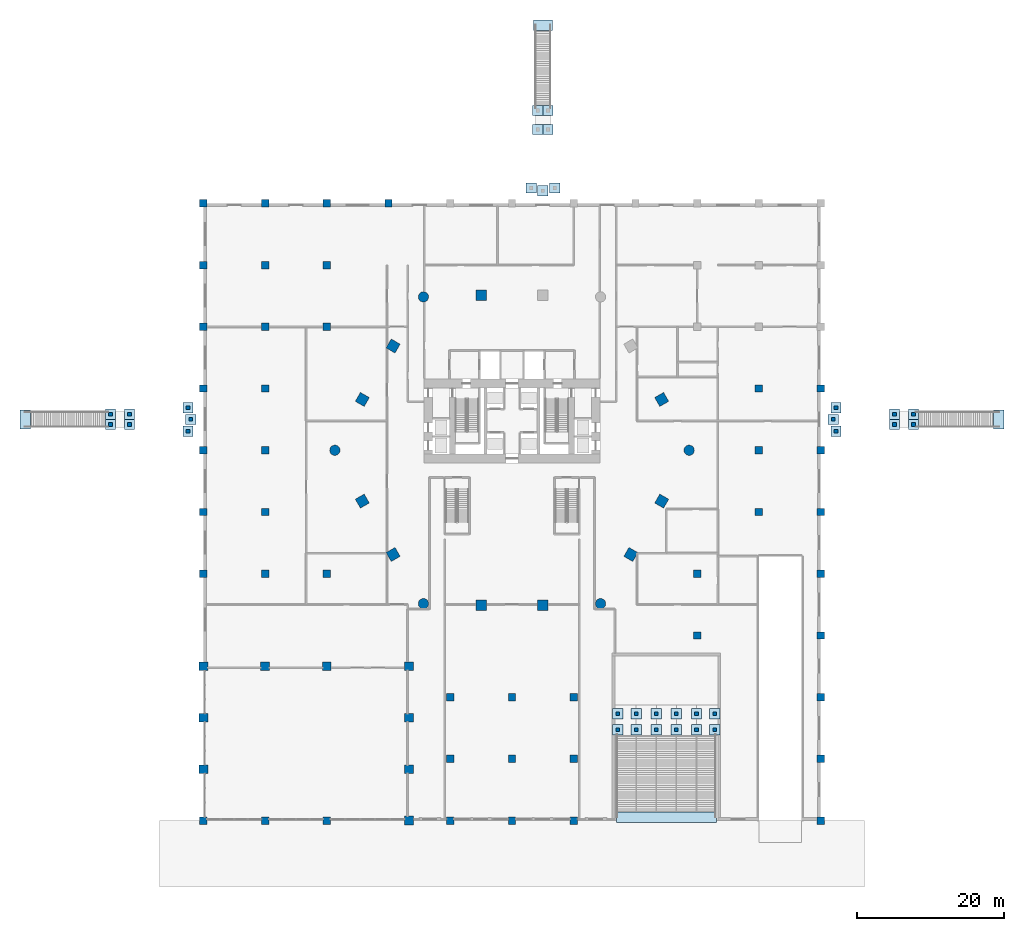
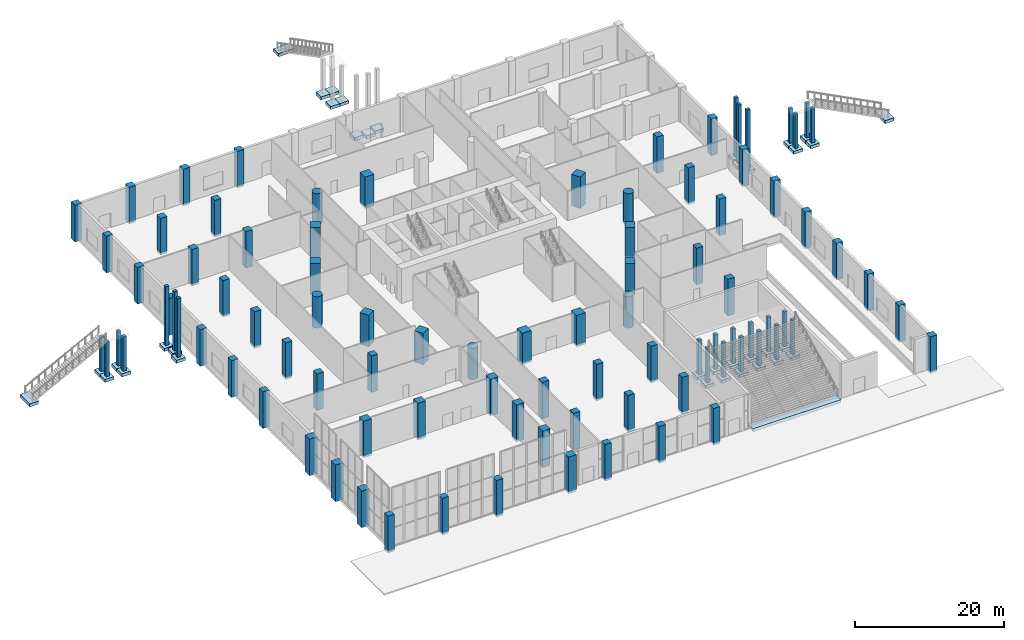
# One storey, part 1 of 25: 94 columns, 37 footings.
"""IFC4 building model written with IfcOpenShell, lengths in metres."""

from ifc_helpers import new_model, si_unit, direction, frame, origin, origin_2d, place, context, subcontext, project, spatial, polyline, rectangle, circle, outline, extrude, material, material_profile, profile_set, type_object, element, save


model = new_model("IFC4")

# Units and contexts
model_context = context("Model", 3, precision=1e-05, world=origin(), true_north=direction((0.0, 1.0)))
body_context = subcontext(model_context, "Body", "Model", "MODEL_VIEW")
ifc_project = project(units=[si_unit("LENGTHUNIT", "METRE"), si_unit("AREAUNIT", "SQUARE_METRE"), si_unit("VOLUMEUNIT", "CUBIC_METRE"), si_unit("PLANEANGLEUNIT", "RADIAN"), si_unit("MASSUNIT", "GRAM", prefix="KILO")], contexts=[model_context])

# Site, building, storey
site_placement = place(None, origin())
site = spatial("IfcSite", under=ifc_project, at=site_placement, CompositionType="ELEMENT")
building_placement = place(site_placement, origin())
building = spatial("IfcBuilding", under=site, at=building_placement, Name="Ostrander Bayou Hotel Tower", CompositionType="ELEMENT")
storey_placement = place(building_placement, origin())
storey = spatial("IfcBuildingStorey", under=building, at=storey_placement, Name="L00", CompositionType="ELEMENT", Elevation=0.0)

# Footings
ifc_material_1 = material(Name="Concrete f'c 40 MPa", Category="concrete")
footing_type = type_object("IfcFootingType", Name="PD1 pier pad 1400 x 1400 x 500 mm f'c 40 MPa", PredefinedType="PAD_FOOTING", material=ifc_material_1)
footing_1_placement = place(storey_placement, frame((0.0, 0.0, -0.5)))
element("IfcFooting", 1, at=footing_1_placement, inside=storey, type_object=footing_type, Name="PD1 pad 1", PredefinedType="PAD_FOOTING", context=body_context, shape_type="SweptSolid", body=[
    extrude(outline(polyline([(15.10009765625, -38.739990234375), (15.10009765625, -37.340087890625), (13.699951171875, -37.340087890625), (13.699951171875, -38.739990234375), (15.10009765625, -38.739990234375)])), origin(), (0.0, 0.0, 1.0), 0.5),
])
footing_2_placement = place(storey_placement, frame((0.0, 0.0, -0.5)))
element("IfcFooting", 2, at=footing_2_placement, inside=storey, type_object=footing_type, Name="PD1 pad 2", PredefinedType="PAD_FOOTING", context=body_context, shape_type="SweptSolid", body=[
    extrude(outline(polyline([(15.10009765625, -36.5400390625), (15.10009765625, -35.139892578125), (13.699951171875, -35.139892578125), (13.699951171875, -36.5400390625), (15.10009765625, -36.5400390625)])), origin(), (0.0, 0.0, 1.0), 0.5),
])
footing_3_placement = place(storey_placement, frame((0.0, 0.0, -0.5)))
element("IfcFooting", 3, at=footing_3_placement, inside=storey, type_object=footing_type, Name="PD1 pad 3", PredefinedType="PAD_FOOTING", context=body_context, shape_type="SweptSolid", body=[
    extrude(outline(polyline([(17.595947265625, -38.739990234375), (17.595947265625, -37.340087890625), (16.196044921875, -37.340087890625), (16.196044921875, -38.739990234375), (17.595947265625, -38.739990234375)])), origin(), (0.0, 0.0, 1.0), 0.5),
])
footing_4_placement = place(storey_placement, frame((0.0, 0.0, -0.5)))
element("IfcFooting", 4, at=footing_4_placement, inside=storey, type_object=footing_type, Name="PD1 pad 4", PredefinedType="PAD_FOOTING", context=body_context, shape_type="SweptSolid", body=[
    extrude(outline(polyline([(17.595947265625, -36.5400390625), (17.595947265625, -35.139892578125), (16.196044921875, -35.139892578125), (16.196044921875, -36.5400390625), (17.595947265625, -36.5400390625)])), origin(), (0.0, 0.0, 1.0), 0.5),
])
footing_5_placement = place(storey_placement, frame((0.0, 0.0, -0.5)))
element("IfcFooting", 5, at=footing_5_placement, inside=storey, type_object=footing_type, Name="PD1 pad 5", PredefinedType="PAD_FOOTING", context=body_context, shape_type="SweptSolid", body=[
    extrude(outline(polyline([(20.33203125, -38.739990234375), (20.33203125, -37.340087890625), (18.931884765625, -37.340087890625), (18.931884765625, -38.739990234375), (20.33203125, -38.739990234375)])), origin(), (0.0, 0.0, 1.0), 0.5),
])
footing_6_placement = place(storey_placement, frame((0.0, 0.0, -0.5)))
element("IfcFooting", 6, at=footing_6_placement, inside=storey, type_object=footing_type, Name="PD1 pad 6", PredefinedType="PAD_FOOTING", context=body_context, shape_type="SweptSolid", body=[
    extrude(outline(polyline([(20.33203125, -36.5400390625), (20.33203125, -35.139892578125), (18.931884765625, -35.139892578125), (18.931884765625, -36.5400390625), (20.33203125, -36.5400390625)])), origin(), (0.0, 0.0, 1.0), 0.5),
])
footing_7_placement = place(storey_placement, frame((0.0, 0.0, -0.5)))
element("IfcFooting", 7, at=footing_7_placement, inside=storey, type_object=footing_type, Name="PD1 pad 7", PredefinedType="PAD_FOOTING", context=body_context, shape_type="SweptSolid", body=[
    extrude(outline(polyline([(23.068115234375, -38.739990234375), (23.068115234375, -37.340087890625), (21.66796875, -37.340087890625), (21.66796875, -38.739990234375), (23.068115234375, -38.739990234375)])), origin(), (0.0, 0.0, 1.0), 0.5),
])
footing_8_placement = place(storey_placement, frame((0.0, 0.0, -0.5)))
element("IfcFooting", 8, at=footing_8_placement, inside=storey, type_object=footing_type, Name="PD1 pad 8", PredefinedType="PAD_FOOTING", context=body_context, shape_type="SweptSolid", body=[
    extrude(outline(polyline([(23.068115234375, -36.5400390625), (23.068115234375, -35.139892578125), (21.66796875, -35.139892578125), (21.66796875, -36.5400390625), (23.068115234375, -36.5400390625)])), origin(), (0.0, 0.0, 1.0), 0.5),
])
footing_9_placement = place(storey_placement, frame((0.0, 0.0, -0.5)))
element("IfcFooting", 9, at=footing_9_placement, inside=storey, type_object=footing_type, Name="PD1 pad 9", PredefinedType="PAD_FOOTING", context=body_context, shape_type="SweptSolid", body=[
    extrude(outline(polyline([(25.803955078125, -38.739990234375), (25.803955078125, -37.340087890625), (24.404052734375, -37.340087890625), (24.404052734375, -38.739990234375), (25.803955078125, -38.739990234375)])), origin(), (0.0, 0.0, 1.0), 0.5),
])
footing_10_placement = place(storey_placement, frame((0.0, 0.0, -0.5)))
element("IfcFooting", 10, at=footing_10_placement, inside=storey, type_object=footing_type, Name="PD1 pad 10", PredefinedType="PAD_FOOTING", context=body_context, shape_type="SweptSolid", body=[
    extrude(outline(polyline([(25.803955078125, -36.5400390625), (25.803955078125, -35.139892578125), (24.404052734375, -35.139892578125), (24.404052734375, -36.5400390625), (25.803955078125, -36.5400390625)])), origin(), (0.0, 0.0, 1.0), 0.5),
])
footing_11_placement = place(storey_placement, frame((0.0, 0.0, -0.5)))
element("IfcFooting", 11, at=footing_11_placement, inside=storey, type_object=footing_type, Name="PD1 pad 11", PredefinedType="PAD_FOOTING", context=body_context, shape_type="SweptSolid", body=[
    extrude(outline(polyline([(28.300048828125, -38.739990234375), (28.300048828125, -37.340087890625), (26.89990234375, -37.340087890625), (26.89990234375, -38.739990234375), (28.300048828125, -38.739990234375)])), origin(), (0.0, 0.0, 1.0), 0.5),
])
footing_12_placement = place(storey_placement, frame((0.0, 0.0, -0.5)))
element("IfcFooting", 12, at=footing_12_placement, inside=storey, type_object=footing_type, Name="PD1 pad 12", PredefinedType="PAD_FOOTING", context=body_context, shape_type="SweptSolid", body=[
    extrude(outline(polyline([(28.300048828125, -36.5400390625), (28.300048828125, -35.139892578125), (26.89990234375, -35.139892578125), (26.89990234375, -36.5400390625), (28.300048828125, -36.5400390625)])), origin(), (0.0, 0.0, 1.0), 0.5),
])
footing_13_placement = place(storey_placement, frame((0.0, 0.0, -0.5)))
element("IfcFooting", 13, at=footing_13_placement, inside=storey, type_object=footing_type, Name="PD1 pad foot", PredefinedType="PAD_FOOTING", context=body_context, shape_type="SweptSolid", body=[
    extrude(outline(polyline([(27.800048828125, -50.64990234375), (27.800048828125, -49.25), (14.199951171875, -49.25), (14.199951171875, -50.64990234375), (27.800048828125, -50.64990234375)])), origin(), (0.0, 0.0, 1.0), 0.5),
])
footing_14_placement = place(storey_placement, frame((0.0, 0.0, -0.5)))
element("IfcFooting", 14, at=footing_14_placement, inside=storey, type_object=footing_type, Name="PD1 pad E1", PredefinedType="PAD_FOOTING", context=body_context, shape_type="SweptSolid", body=[
    extrude(outline(polyline([(52.739990234375, 2.800048828125), (52.739990234375, 4.199951171875), (51.340087890625, 4.199951171875), (51.340087890625, 2.800048828125), (52.739990234375, 2.800048828125)])), origin(), (0.0, 0.0, 1.0), 0.5),
])
footing_15_placement = place(storey_placement, frame((0.0, 0.0, -0.5)))
element("IfcFooting", 15, at=footing_15_placement, inside=storey, type_object=footing_type, Name="PD1 pad E2", PredefinedType="PAD_FOOTING", context=body_context, shape_type="SweptSolid", body=[
    extrude(outline(polyline([(52.739990234375, 4.199951171875), (52.739990234375, 5.60009765625), (51.340087890625, 5.60009765625), (51.340087890625, 4.199951171875), (52.739990234375, 4.199951171875)])), origin(), (0.0, 0.0, 1.0), 0.5),
])
footing_16_placement = place(storey_placement, frame((0.0, 0.0, -0.5)))
element("IfcFooting", 16, at=footing_16_placement, inside=storey, type_object=footing_type, Name="PD1 pad E3", PredefinedType="PAD_FOOTING", context=body_context, shape_type="SweptSolid", body=[
    extrude(outline(polyline([(55.340087890625, 2.800048828125), (55.340087890625, 4.199951171875), (53.93994140625, 4.199951171875), (53.93994140625, 2.800048828125), (55.340087890625, 2.800048828125)])), origin(), (0.0, 0.0, 1.0), 0.5),
])
footing_17_placement = place(storey_placement, frame((0.0, 0.0, -0.5)))
element("IfcFooting", 17, at=footing_17_placement, inside=storey, type_object=footing_type, Name="PD1 pad E4", PredefinedType="PAD_FOOTING", context=body_context, shape_type="SweptSolid", body=[
    extrude(outline(polyline([(55.340087890625, 4.199951171875), (55.340087890625, 5.60009765625), (53.93994140625, 5.60009765625), (53.93994140625, 4.199951171875), (55.340087890625, 4.199951171875)])), origin(), (0.0, 0.0, 1.0), 0.5),
])
footing_18_placement = place(storey_placement, frame((0.0, 0.0, -0.5)))
element("IfcFooting", 18, at=footing_18_placement, inside=storey, type_object=footing_type, Name="PD1 pad E foot", PredefinedType="PAD_FOOTING", context=body_context, shape_type="SweptSolid", body=[
    extrude(outline(polyline([(66.949951171875, 2.89990234375), (66.949951171875, 5.5), (65.550048828125, 5.5), (65.550048828125, 2.89990234375), (66.949951171875, 2.89990234375)])), origin(), (0.0, 0.0, 1.0), 0.5),
])
footing_19_placement = place(storey_placement, frame((0.0, 0.0, -0.5)))
element("IfcFooting", 19, at=footing_19_placement, inside=storey, type_object=footing_type, Name="PD1 pad EH1", PredefinedType="PAD_FOOTING", context=body_context, shape_type="SweptSolid", body=[
    extrude(outline(polyline([(44.39990234375, 3.5), (44.39990234375, 4.89990234375), (43.0, 4.89990234375), (43.0, 3.5), (44.39990234375, 3.5)])), origin(), (0.0, 0.0, 1.0), 0.5),
])
footing_20_placement = place(storey_placement, frame((0.0, 0.0, -0.5)))
element("IfcFooting", 20, at=footing_20_placement, inside=storey, type_object=footing_type, Name="PD1 pad EH2", PredefinedType="PAD_FOOTING", context=body_context, shape_type="SweptSolid", body=[
    extrude(outline(polyline([(44.800048828125, 1.89990234375), (44.800048828125, 3.300048828125), (43.39990234375, 3.300048828125), (43.39990234375, 1.89990234375), (44.800048828125, 1.89990234375)])), origin(), (0.0, 0.0, 1.0), 0.5),
])
footing_21_placement = place(storey_placement, frame((0.0, 0.0, -0.5)))
element("IfcFooting", 21, at=footing_21_placement, inside=storey, type_object=footing_type, Name="PD1 pad EH3", PredefinedType="PAD_FOOTING", context=body_context, shape_type="SweptSolid", body=[
    extrude(outline(polyline([(44.800048828125, 5.10009765625), (44.800048828125, 6.5), (43.39990234375, 6.5), (43.39990234375, 5.10009765625), (44.800048828125, 5.10009765625)])), origin(), (0.0, 0.0, 1.0), 0.5),
])
footing_22_placement = place(storey_placement, frame((0.0, 0.0, -0.5)))
element("IfcFooting", 22, at=footing_22_placement, inside=storey, type_object=footing_type, Name="PD1 pad W1", PredefinedType="PAD_FOOTING", context=body_context, shape_type="SweptSolid", body=[
    extrude(outline(polyline([(-51.340087890625, 4.199951171875), (-51.340087890625, 5.60009765625), (-52.739990234375, 5.60009765625), (-52.739990234375, 4.199951171875), (-51.340087890625, 4.199951171875)])), origin(), (0.0, 0.0, 1.0), 0.5),
])
footing_23_placement = place(storey_placement, frame((0.0, 0.0, -0.5)))
element("IfcFooting", 23, at=footing_23_placement, inside=storey, type_object=footing_type, Name="PD1 pad W2", PredefinedType="PAD_FOOTING", context=body_context, shape_type="SweptSolid", body=[
    extrude(outline(polyline([(-51.340087890625, 2.800048828125), (-51.340087890625, 4.199951171875), (-52.739990234375, 4.199951171875), (-52.739990234375, 2.800048828125), (-51.340087890625, 2.800048828125)])), origin(), (0.0, 0.0, 1.0), 0.5),
])
footing_24_placement = place(storey_placement, frame((0.0, 0.0, -0.5)))
element("IfcFooting", 24, at=footing_24_placement, inside=storey, type_object=footing_type, Name="PD1 pad W3", PredefinedType="PAD_FOOTING", context=body_context, shape_type="SweptSolid", body=[
    extrude(outline(polyline([(-53.93994140625, 4.199951171875), (-53.93994140625, 5.60009765625), (-55.340087890625, 5.60009765625), (-55.340087890625, 4.199951171875), (-53.93994140625, 4.199951171875)])), origin(), (0.0, 0.0, 1.0), 0.5),
])
footing_25_placement = place(storey_placement, frame((0.0, 0.0, -0.5)))
element("IfcFooting", 25, at=footing_25_placement, inside=storey, type_object=footing_type, Name="PD1 pad W4", PredefinedType="PAD_FOOTING", context=body_context, shape_type="SweptSolid", body=[
    extrude(outline(polyline([(-53.93994140625, 2.800048828125), (-53.93994140625, 4.199951171875), (-55.340087890625, 4.199951171875), (-55.340087890625, 2.800048828125), (-53.93994140625, 2.800048828125)])), origin(), (0.0, 0.0, 1.0), 0.5),
])
footing_26_placement = place(storey_placement, frame((0.0, 0.0, -0.5)))
element("IfcFooting", 26, at=footing_26_placement, inside=storey, type_object=footing_type, Name="PD1 pad W foot", PredefinedType="PAD_FOOTING", context=body_context, shape_type="SweptSolid", body=[
    extrude(outline(polyline([(-65.550048828125, 2.89990234375), (-65.550048828125, 5.5), (-66.949951171875, 5.5), (-66.949951171875, 2.89990234375), (-65.550048828125, 2.89990234375)])), origin(), (0.0, 0.0, 1.0), 0.5),
])
footing_27_placement = place(storey_placement, frame((0.0, 0.0, -0.5)))
element("IfcFooting", 27, at=footing_27_placement, inside=storey, type_object=footing_type, Name="PD1 pad WH1", PredefinedType="PAD_FOOTING", context=body_context, shape_type="SweptSolid", body=[
    extrude(outline(polyline([(-43.0, 3.5), (-43.0, 4.89990234375), (-44.39990234375, 4.89990234375), (-44.39990234375, 3.5), (-43.0, 3.5)])), origin(), (0.0, 0.0, 1.0), 0.5),
])
footing_28_placement = place(storey_placement, frame((0.0, 0.0, -0.5)))
element("IfcFooting", 28, at=footing_28_placement, inside=storey, type_object=footing_type, Name="PD1 pad WH2", PredefinedType="PAD_FOOTING", context=body_context, shape_type="SweptSolid", body=[
    extrude(outline(polyline([(-43.39990234375, 5.10009765625), (-43.39990234375, 6.5), (-44.800048828125, 6.5), (-44.800048828125, 5.10009765625), (-43.39990234375, 5.10009765625)])), origin(), (0.0, 0.0, 1.0), 0.5),
])
footing_29_placement = place(storey_placement, frame((0.0, 0.0, -0.5)))
element("IfcFooting", 29, at=footing_29_placement, inside=storey, type_object=footing_type, Name="PD1 pad WH3", PredefinedType="PAD_FOOTING", context=body_context, shape_type="SweptSolid", body=[
    extrude(outline(polyline([(-43.39990234375, 1.89990234375), (-43.39990234375, 3.300048828125), (-44.800048828125, 3.300048828125), (-44.800048828125, 1.89990234375), (-43.39990234375, 1.89990234375)])), origin(), (0.0, 0.0, 1.0), 0.5),
])
footing_30_placement = place(storey_placement, frame((0.0, 0.0, -0.5)))
element("IfcFooting", 30, at=footing_30_placement, inside=storey, type_object=footing_type, Name="PD1 pad N1", PredefinedType="PAD_FOOTING", context=body_context, shape_type="SweptSolid", body=[
    extrude(outline(polyline([(5.60009765625, 42.93994140625), (5.60009765625, 44.340087890625), (4.199951171875, 44.340087890625), (4.199951171875, 42.93994140625), (5.60009765625, 42.93994140625)])), origin(), (0.0, 0.0, 1.0), 0.5),
])
footing_31_placement = place(storey_placement, frame((0.0, 0.0, -0.5)))
element("IfcFooting", 31, at=footing_31_placement, inside=storey, type_object=footing_type, Name="PD1 pad N2", PredefinedType="PAD_FOOTING", context=body_context, shape_type="SweptSolid", body=[
    extrude(outline(polyline([(4.199951171875, 42.93994140625), (4.199951171875, 44.340087890625), (2.800048828125, 44.340087890625), (2.800048828125, 42.93994140625), (4.199951171875, 42.93994140625)])), origin(), (0.0, 0.0, 1.0), 0.5),
])
footing_32_placement = place(storey_placement, frame((0.0, 0.0, -0.5)))
element("IfcFooting", 32, at=footing_32_placement, inside=storey, type_object=footing_type, Name="PD1 pad N3", PredefinedType="PAD_FOOTING", context=body_context, shape_type="SweptSolid", body=[
    extrude(outline(polyline([(5.60009765625, 45.5400390625), (5.60009765625, 46.93994140625), (4.199951171875, 46.93994140625), (4.199951171875, 45.5400390625), (5.60009765625, 45.5400390625)])), origin(), (0.0, 0.0, 1.0), 0.5),
])
footing_33_placement = place(storey_placement, frame((0.0, 0.0, -0.5)))
element("IfcFooting", 33, at=footing_33_placement, inside=storey, type_object=footing_type, Name="PD1 pad N4", PredefinedType="PAD_FOOTING", context=body_context, shape_type="SweptSolid", body=[
    extrude(outline(polyline([(4.199951171875, 45.5400390625), (4.199951171875, 46.93994140625), (2.800048828125, 46.93994140625), (2.800048828125, 45.5400390625), (4.199951171875, 45.5400390625)])), origin(), (0.0, 0.0, 1.0), 0.5),
])
footing_34_placement = place(storey_placement, frame((0.0, 0.0, -0.5)))
element("IfcFooting", 34, at=footing_34_placement, inside=storey, type_object=footing_type, Name="PD1 pad N foot", PredefinedType="PAD_FOOTING", context=body_context, shape_type="SweptSolid", body=[
    extrude(outline(polyline([(5.5, 57.14990234375), (5.5, 58.550048828125), (2.89990234375, 58.550048828125), (2.89990234375, 57.14990234375), (5.5, 57.14990234375)])), origin(), (0.0, 0.0, 1.0), 0.5),
])
footing_35_placement = place(storey_placement, frame((0.0, 0.0, -0.5)))
element("IfcFooting", 35, at=footing_35_placement, inside=storey, type_object=footing_type, Name="PD1 pad NH1", PredefinedType="PAD_FOOTING", context=body_context, shape_type="SweptSolid", body=[
    extrude(outline(polyline([(4.89990234375, 34.60009765625), (4.89990234375, 36.0), (3.5, 36.0), (3.5, 34.60009765625), (4.89990234375, 34.60009765625)])), origin(), (0.0, 0.0, 1.0), 0.5),
])
footing_36_placement = place(storey_placement, frame((0.0, 0.0, -0.5)))
element("IfcFooting", 36, at=footing_36_placement, inside=storey, type_object=footing_type, Name="PD1 pad NH2", PredefinedType="PAD_FOOTING", context=body_context, shape_type="SweptSolid", body=[
    extrude(outline(polyline([(6.5, 35.0), (6.5, 36.39990234375), (5.10009765625, 36.39990234375), (5.10009765625, 35.0), (6.5, 35.0)])), origin(), (0.0, 0.0, 1.0), 0.5),
])
footing_37_placement = place(storey_placement, frame((0.0, 0.0, -0.5)))
element("IfcFooting", 37, at=footing_37_placement, inside=storey, type_object=footing_type, Name="PD1 pad NH3", PredefinedType="PAD_FOOTING", context=body_context, shape_type="SweptSolid", body=[
    extrude(outline(polyline([(3.300048828125, 35.0), (3.300048828125, 36.39990234375), (1.89990234375, 36.39990234375), (1.89990234375, 35.0), (3.300048828125, 35.0)])), origin(), (0.0, 0.0, 1.0), 0.5),
])

# Columns
ifc_material_2 = material(Name="Concrete f'c 70 MPa", Category="concrete")
ifc_material_profile_1 = material_profile(ifc_material_2, circle(Radius=0.699951171875, at=origin_2d()))
ifc_profile_set_1 = profile_set([ifc_material_profile_1], Name="Concrete f'c 70 MPa")
column_type_1 = type_object("IfcColumnType", Name="C1 round column 1400 mm f'c 70 MPa", PredefinedType="COLUMN", material=ifc_profile_set_1)
for number, where, z_axis, x_axis, name in (
    (38, (-12.050537109375, 20.872314453125, -0.35009765625), (0.0, 0.0, 1.0), (1.0, 0.0, 0.0), "C1 L00 K0"),
    (39, (-24.101318359375, 0.0, -0.35009765625), (0.0, 0.0, 1.0), (1.0, 0.0, 0.0), "C1 L00 K1"),
    (40, (-12.050537109375, -20.872314453125, -0.35009765625), (0.0, 0.0, 1.0), (1.0, 0.0, 0.0), "C1 L00 K2"),
    (41, (12.050537109375, -20.872314453125, -0.35009765625), (0.0, 0.0, 1.0), (1.0, 0.0, 0.0), "C1 L00 K3"),
    (42, (24.101318359375, 0.0, -0.35009765625), (0.0, 0.0, 1.0), (1.0, 0.0, 0.0), "C1 L00 K4"),
):
    element("IfcColumn", number, at=place(storey_placement, frame(where, z_axis=z_axis, x_axis=x_axis)), inside=storey, type_object=column_type_1, Name=name, PredefinedType="COLUMN", context=body_context, shape_type="SweptSolid", body=[
        extrude(circle(Radius=0.699951171875, at=origin_2d()), origin(), (0.0, 0.0, 1.0), 5.150146484375),
    ])
ifc_material_3 = material(Name="Concrete f'c 70 MPa", Category="concrete")
ifc_material_profile_2 = material_profile(ifc_material_3, rectangle(XDim=1.39990234375, YDim=1.39990234375, at=origin_2d()))
ifc_profile_set_2 = profile_set([ifc_material_profile_2], Name="Concrete f'c 70 MPa")
column_type_2 = type_object("IfcColumnType", Name="C2 square column 1400 x 1400 mm f'c 70 MPa", PredefinedType="COLUMN", material=ifc_profile_set_2)
for number, where, z_axis, x_axis, name in (
    (43, (-4.1953125, 21.10009765625, -0.35009765625), (0.0, 0.0, 1.0), (1.0, 0.0, 0.0), "C2 L00 N2"),
    (44, (-16.17529296875, 14.183349609375, -0.35009765625), (0.0, 0.0, 1.0), (0.5, 0.866025403784, 0.0), "C2 L00 NW1"),
    (45, (-20.370849609375, 6.916748046875, -0.35009765625), (0.0, 0.0, 1.0), (0.5, 0.866025403784, 0.0), "C2 L00 NW2"),
    (46, (-20.370849609375, -6.916748046875, -0.35009765625), (0.0, 0.0, 1.0), (-0.5, 0.866025403784, 0.0), "C2 L00 SW1"),
    (47, (-16.17529296875, -14.183349609375, -0.35009765625), (0.0, 0.0, 1.0), (-0.5, 0.866025403784, 0.0), "C2 L00 SW2"),
    (48, (-4.1953125, -21.10009765625, -0.35009765625), (0.0, 0.0, 1.0), (-1.0, 0.0, 0.0), "C2 L00 S1"),
    (49, (4.1953125, -21.10009765625, -0.35009765625), (0.0, 0.0, 1.0), (-1.0, 0.0, 0.0), "C2 L00 S2"),
    (50, (16.17529296875, -14.183349609375, -0.35009765625), (0.0, 0.0, 1.0), (-0.5, -0.866025403784, 0.0), "C2 L00 SE1"),
    (51, (20.370849609375, -6.916748046875, -0.35009765625), (0.0, 0.0, 1.0), (-0.5, -0.866025403784, 0.0), "C2 L00 SE2"),
    (52, (20.370849609375, 6.916748046875, -0.35009765625), (0.0, 0.0, 1.0), (0.5, -0.866025403784, 0.0), "C2 L00 NE1"),
):
    element("IfcColumn", number, at=place(storey_placement, frame(where, z_axis=z_axis, x_axis=x_axis)), inside=storey, type_object=column_type_2, Name=name, PredefinedType="COLUMN", context=body_context, shape_type="SweptSolid", body=[
        extrude(rectangle(XDim=1.39990234375, YDim=1.39990234375, at=origin_2d()), origin(), (0.0, 0.0, 1.0), 5.150146484375),
    ])
ifc_material_4 = material(Name="Concrete f'c 60 MPa", Category="concrete")
ifc_material_profile_3 = material_profile(ifc_material_4, rectangle(XDim=1.0, YDim=1.0, at=origin_2d()))
ifc_profile_set_3 = profile_set([ifc_material_profile_3], Name="Concrete f'c 60 MPa")
column_type_3 = type_object("IfcColumnType", Name="PC1 podium column 1000 x 1000 mm f'c 60 MPa", PredefinedType="COLUMN", material=ifc_profile_set_3)
for number, where, z_axis, x_axis, name in (
    (53, (-42.0, -50.39990234375, -0.35009765625), (0.0, 0.0, 1.0), (1.0, 0.0, 0.0), "PC1 L00 1A"),
    (54, (-42.0, -16.800048828125, -0.35009765625), (0.0, 0.0, 1.0), (1.0, 0.0, 0.0), "PC1 L00 1E"),
    (55, (-42.0, -8.39990234375, -0.35009765625), (0.0, 0.0, 1.0), (1.0, 0.0, 0.0), "PC1 L00 1F"),
    (56, (-42.0, 0.0, -0.35009765625), (0.0, 0.0, 1.0), (1.0, 0.0, 0.0), "PC1 L00 1G"),
    (57, (-42.0, 8.39990234375, -0.35009765625), (0.0, 0.0, 1.0), (1.0, 0.0, 0.0), "PC1 L00 1H"),
    (58, (-42.0, 16.800048828125, -0.35009765625), (0.0, 0.0, 1.0), (1.0, 0.0, 0.0), "PC1 L00 1I"),
    (59, (-42.0, 25.199951171875, -0.35009765625), (0.0, 0.0, 1.0), (1.0, 0.0, 0.0), "PC1 L00 1J"),
    (60, (-42.0, 33.60009765625, -0.35009765625), (0.0, 0.0, 1.0), (1.0, 0.0, 0.0), "PC1 L00 1K"),
    (61, (-33.60009765625, -50.39990234375, -0.35009765625), (0.0, 0.0, 1.0), (1.0, 0.0, 0.0), "PC1 L00 2A"),
    (62, (-33.60009765625, -16.800048828125, -0.35009765625), (0.0, 0.0, 1.0), (1.0, 0.0, 0.0), "PC1 L00 2E"),
    (63, (-33.60009765625, -8.39990234375, -0.35009765625), (0.0, 0.0, 1.0), (1.0, 0.0, 0.0), "PC1 L00 2F"),
    (64, (-33.60009765625, 0.0, -0.35009765625), (0.0, 0.0, 1.0), (1.0, 0.0, 0.0), "PC1 L00 2G"),
    (65, (-33.60009765625, 8.39990234375, -0.35009765625), (0.0, 0.0, 1.0), (1.0, 0.0, 0.0), "PC1 L00 2H"),
    (66, (-33.60009765625, 16.800048828125, -0.35009765625), (0.0, 0.0, 1.0), (1.0, 0.0, 0.0), "PC1 L00 2I"),
    (67, (-33.60009765625, 25.199951171875, -0.35009765625), (0.0, 0.0, 1.0), (1.0, 0.0, 0.0), "PC1 L00 2J"),
    (68, (-33.60009765625, 33.60009765625, -0.35009765625), (0.0, 0.0, 1.0), (1.0, 0.0, 0.0), "PC1 L00 2K"),
    (69, (-25.199951171875, -50.39990234375, -0.35009765625), (0.0, 0.0, 1.0), (1.0, 0.0, 0.0), "PC1 L00 3A"),
    (70, (-25.199951171875, -16.800048828125, -0.35009765625), (0.0, 0.0, 1.0), (1.0, 0.0, 0.0), "PC1 L00 3E"),
    (71, (-25.199951171875, 16.800048828125, -0.35009765625), (0.0, 0.0, 1.0), (1.0, 0.0, 0.0), "PC1 L00 3I"),
    (72, (-25.199951171875, 25.199951171875, -0.35009765625), (0.0, 0.0, 1.0), (1.0, 0.0, 0.0), "PC1 L00 3J"),
    (73, (-25.199951171875, 33.60009765625, -0.35009765625), (0.0, 0.0, 1.0), (1.0, 0.0, 0.0), "PC1 L00 3K"),
    (74, (-16.800048828125, 33.60009765625, -0.35009765625), (0.0, 0.0, 1.0), (1.0, 0.0, 0.0), "PC1 L00 4K"),
    (75, (-8.39990234375, -50.39990234375, -0.35009765625), (0.0, 0.0, 1.0), (1.0, 0.0, 0.0), "PC1 L00 5A"),
    (76, (-8.39990234375, -42.0, -0.35009765625), (0.0, 0.0, 1.0), (1.0, 0.0, 0.0), "PC1 L00 5B"),
    (77, (-8.39990234375, -33.60009765625, -0.35009765625), (0.0, 0.0, 1.0), (1.0, 0.0, 0.0), "PC1 L00 5C"),
    (78, (0.0, -50.39990234375, -0.35009765625), (0.0, 0.0, 1.0), (1.0, 0.0, 0.0), "PC1 L00 6A"),
    (79, (0.0, -42.0, -0.35009765625), (0.0, 0.0, 1.0), (1.0, 0.0, 0.0), "PC1 L00 6B"),
    (80, (0.0, -33.60009765625, -0.35009765625), (0.0, 0.0, 1.0), (1.0, 0.0, 0.0), "PC1 L00 6C"),
    (81, (8.39990234375, -50.39990234375, -0.35009765625), (0.0, 0.0, 1.0), (1.0, 0.0, 0.0), "PC1 L00 7A"),
    (82, (8.39990234375, -42.0, -0.35009765625), (0.0, 0.0, 1.0), (1.0, 0.0, 0.0), "PC1 L00 7B"),
    (83, (8.39990234375, -33.60009765625, -0.35009765625), (0.0, 0.0, 1.0), (1.0, 0.0, 0.0), "PC1 L00 7C"),
    (84, (25.199951171875, -25.199951171875, -0.35009765625), (0.0, 0.0, 1.0), (1.0, 0.0, 0.0), "PC1 L00 9D"),
    (85, (25.199951171875, -16.800048828125, -0.35009765625), (0.0, 0.0, 1.0), (1.0, 0.0, 0.0), "PC1 L00 9E"),
    (86, (33.60009765625, -8.39990234375, -0.35009765625), (0.0, 0.0, 1.0), (1.0, 0.0, 0.0), "PC1 L00 10F"),
    (87, (33.60009765625, 0.0, -0.35009765625), (0.0, 0.0, 1.0), (1.0, 0.0, 0.0), "PC1 L00 10G"),
    (88, (33.60009765625, 8.39990234375, -0.35009765625), (0.0, 0.0, 1.0), (1.0, 0.0, 0.0), "PC1 L00 10H"),
    (89, (42.0, -50.39990234375, -0.35009765625), (0.0, 0.0, 1.0), (1.0, 0.0, 0.0), "PC1 L00 11A"),
    (90, (42.0, -42.0, -0.35009765625), (0.0, 0.0, 1.0), (1.0, 0.0, 0.0), "PC1 L00 11B"),
    (91, (42.0, -33.60009765625, -0.35009765625), (0.0, 0.0, 1.0), (1.0, 0.0, 0.0), "PC1 L00 11C"),
    (92, (42.0, -25.199951171875, -0.35009765625), (0.0, 0.0, 1.0), (1.0, 0.0, 0.0), "PC1 L00 11D"),
    (93, (42.0, -16.800048828125, -0.35009765625), (0.0, 0.0, 1.0), (1.0, 0.0, 0.0), "PC1 L00 11E"),
    (94, (42.0, -8.39990234375, -0.35009765625), (0.0, 0.0, 1.0), (1.0, 0.0, 0.0), "PC1 L00 11F"),
    (95, (42.0, 0.0, -0.35009765625), (0.0, 0.0, 1.0), (1.0, 0.0, 0.0), "PC1 L00 11G"),
    (96, (42.0, 8.39990234375, -0.35009765625), (0.0, 0.0, 1.0), (1.0, 0.0, 0.0), "PC1 L00 11H"),
):
    element("IfcColumn", number, at=place(storey_placement, frame(where, z_axis=z_axis, x_axis=x_axis)), inside=storey, type_object=column_type_3, Name=name, PredefinedType="COLUMN", context=body_context, shape_type="SweptSolid", body=[
        extrude(rectangle(XDim=1.0, YDim=1.0, at=origin_2d()), origin(), (0.0, 0.0, 1.0), 6.0),
    ])
ifc_material_5 = material(Name="Concrete f'c 60 MPa", Category="concrete")
ifc_material_profile_4 = material_profile(ifc_material_5, rectangle(XDim=1.199951171875, YDim=1.199951171875, at=origin_2d()))
ifc_profile_set_4 = profile_set([ifc_material_profile_4], Name="Concrete f'c 60 MPa")
column_type_4 = type_object("IfcColumnType", Name="PC2 ballroom column 1200 x 1200 mm f'c 60 MPa", PredefinedType="COLUMN", material=ifc_profile_set_4)
for number, where, z_axis, x_axis, name in (
    (97, (-14.0, -43.39990234375, -0.35009765625), (0.0, 0.0, 1.0), (1.0, 0.0, 0.0), "PC2 L00 BR1"),
    (98, (-42.0, -43.39990234375, -0.35009765625), (0.0, 0.0, 1.0), (1.0, 0.0, 0.0), "PC2 L00 BW1"),
    (99, (-14.0, -36.39990234375, -0.35009765625), (0.0, 0.0, 1.0), (1.0, 0.0, 0.0), "PC2 L00 BR2"),
    (100, (-42.0, -36.39990234375, -0.35009765625), (0.0, 0.0, 1.0), (1.0, 0.0, 0.0), "PC2 L00 BW2"),
    (101, (-14.0, -50.39990234375, -0.35009765625), (0.0, 0.0, 1.0), (1.0, 0.0, 0.0), "PC2 L00 BR0"),
    (102, (-14.0, -29.39990234375, -0.35009765625), (0.0, 0.0, 1.0), (1.0, 0.0, 0.0), "PC2 L00 BR3"),
    (103, (-42.0, -29.39990234375, -0.35009765625), (0.0, 0.0, 1.0), (1.0, 0.0, 0.0), "PC2 L00 BE1"),
    (104, (-33.60009765625, -29.39990234375, -0.35009765625), (0.0, 0.0, 1.0), (1.0, 0.0, 0.0), "PC2 L00 BE2"),
    (105, (-25.199951171875, -29.39990234375, -0.35009765625), (0.0, 0.0, 1.0), (1.0, 0.0, 0.0), "PC2 L00 BE3"),
):
    element("IfcColumn", number, at=place(storey_placement, frame(where, z_axis=z_axis, x_axis=x_axis)), inside=storey, type_object=column_type_4, Name=name, PredefinedType="COLUMN", context=body_context, shape_type="SweptSolid", body=[
        extrude(rectangle(XDim=1.199951171875, YDim=1.199951171875, at=origin_2d()), origin(), (0.0, 0.0, 1.0), 6.0),
    ])
ifc_material_6 = material(Name="Concrete f'c 40 MPa", Category="concrete")
ifc_material_profile_5 = material_profile(ifc_material_6, rectangle(XDim=0.5, YDim=0.5, at=origin_2d()))
ifc_profile_set_5 = profile_set([ifc_material_profile_5], Name="Concrete f'c 40 MPa")
column_type_5 = type_object("IfcColumnType", Name="PR1 terrace pier 500 x 500 mm f'c 40 MPa", PredefinedType="COLUMN", material=ifc_profile_set_5)
for number, where, z_axis, x_axis, name in (
    (106, (14.39990234375, -38.0400390625, 0.0), (0.0, 0.0, 1.0), (1.0, 0.0, 0.0), "PR1 pier 1"),
    (107, (14.39990234375, -35.840087890625, 0.0), (0.0, 0.0, 1.0), (1.0, 0.0, 0.0), "PR1 pier 2"),
    (108, (16.89599609375, -38.0400390625, 0.0), (0.0, 0.0, 1.0), (1.0, 0.0, 0.0), "PR1 pier 3"),
    (109, (16.89599609375, -35.840087890625, 0.0), (0.0, 0.0, 1.0), (1.0, 0.0, 0.0), "PR1 pier 4"),
    (110, (19.632080078125, -38.0400390625, 0.0), (0.0, 0.0, 1.0), (1.0, 0.0, 0.0), "PR1 pier 5"),
    (111, (19.632080078125, -35.840087890625, 0.0), (0.0, 0.0, 1.0), (1.0, 0.0, 0.0), "PR1 pier 6"),
    (112, (22.367919921875, -38.0400390625, 0.0), (0.0, 0.0, 1.0), (1.0, 0.0, 0.0), "PR1 pier 7"),
    (113, (22.367919921875, -35.840087890625, 0.0), (0.0, 0.0, 1.0), (1.0, 0.0, 0.0), "PR1 pier 8"),
    (114, (25.10400390625, -38.0400390625, 0.0), (0.0, 0.0, 1.0), (1.0, 0.0, 0.0), "PR1 pier 9"),
    (115, (25.10400390625, -35.840087890625, 0.0), (0.0, 0.0, 1.0), (1.0, 0.0, 0.0), "PR1 pier 10"),
    (116, (27.60009765625, -38.0400390625, 0.0), (0.0, 0.0, 1.0), (1.0, 0.0, 0.0), "PR1 pier 11"),
    (117, (27.60009765625, -35.840087890625, 0.0), (0.0, 0.0, 1.0), (1.0, 0.0, 0.0), "PR1 pier 12"),
    (118, (52.0400390625, 3.5, 0.0), (0.0, 0.0, 1.0), (1.0, 0.0, 0.0), "PR1 pier E1"),
    (119, (52.0400390625, 4.89990234375, 0.0), (0.0, 0.0, 1.0), (1.0, 0.0, 0.0), "PR1 pier E2"),
    (120, (54.639892578125, 3.5, 0.0), (0.0, 0.0, 1.0), (1.0, 0.0, 0.0), "PR1 pier E3"),
    (121, (54.639892578125, 4.89990234375, 0.0), (0.0, 0.0, 1.0), (1.0, 0.0, 0.0), "PR1 pier E4"),
):
    element("IfcColumn", number, at=place(storey_placement, frame(where, z_axis=z_axis, x_axis=x_axis)), inside=storey, type_object=column_type_5, Name=name, PredefinedType="COLUMN", context=body_context, shape_type="SweptSolid", body=[
        extrude(rectangle(XDim=0.5, YDim=0.5, at=origin_2d()), origin(), (0.0, 0.0, 1.0), 5.64990234375),
    ])
for number, where, z_axis, x_axis, name in (
    (122, (43.699951171875, 4.199951171875, 0.0), (0.0, 0.0, 1.0), (1.0, 0.0, 0.0), "PR1 pier EH1"),
    (123, (44.10009765625, 2.60009765625, 0.0), (0.0, 0.0, 1.0), (1.0, 0.0, 0.0), "PR1 pier EH2"),
    (124, (44.10009765625, 5.800048828125, 0.0), (0.0, 0.0, 1.0), (1.0, 0.0, 0.0), "PR1 pier EH3"),
):
    element("IfcColumn", number, at=place(storey_placement, frame(where, z_axis=z_axis, x_axis=x_axis)), inside=storey, type_object=column_type_5, Name=name, PredefinedType="COLUMN", context=body_context, shape_type="SweptSolid", body=[
        extrude(rectangle(XDim=0.5, YDim=0.5, at=origin_2d()), origin(), (0.0, 0.0, 1.0), 9.64990234375),
    ])
for number, where, z_axis, x_axis, name in (
    (125, (-52.0400390625, 4.89990234375, 0.0), (0.0, 0.0, 1.0), (1.0, 0.0, 0.0), "PR1 pier W1"),
    (126, (-52.0400390625, 3.5, 0.0), (0.0, 0.0, 1.0), (1.0, 0.0, 0.0), "PR1 pier W2"),
    (127, (-54.639892578125, 4.89990234375, 0.0), (0.0, 0.0, 1.0), (1.0, 0.0, 0.0), "PR1 pier W3"),
    (128, (-54.639892578125, 3.5, 0.0), (0.0, 0.0, 1.0), (1.0, 0.0, 0.0), "PR1 pier W4"),
):
    element("IfcColumn", number, at=place(storey_placement, frame(where, z_axis=z_axis, x_axis=x_axis)), inside=storey, type_object=column_type_5, Name=name, PredefinedType="COLUMN", context=body_context, shape_type="SweptSolid", body=[
        extrude(rectangle(XDim=0.5, YDim=0.5, at=origin_2d()), origin(), (0.0, 0.0, 1.0), 5.64990234375),
    ])
for number, where, z_axis, x_axis, name in (
    (129, (-43.699951171875, 4.199951171875, 0.0), (0.0, 0.0, 1.0), (1.0, 0.0, 0.0), "PR1 pier WH1"),
    (130, (-44.10009765625, 5.800048828125, 0.0), (0.0, 0.0, 1.0), (1.0, 0.0, 0.0), "PR1 pier WH2"),
    (131, (-44.10009765625, 2.60009765625, 0.0), (0.0, 0.0, 1.0), (1.0, 0.0, 0.0), "PR1 pier WH3"),
):
    element("IfcColumn", number, at=place(storey_placement, frame(where, z_axis=z_axis, x_axis=x_axis)), inside=storey, type_object=column_type_5, Name=name, PredefinedType="COLUMN", context=body_context, shape_type="SweptSolid", body=[
        extrude(rectangle(XDim=0.5, YDim=0.5, at=origin_2d()), origin(), (0.0, 0.0, 1.0), 9.64990234375),
    ])

save(model, "model.ifc")
